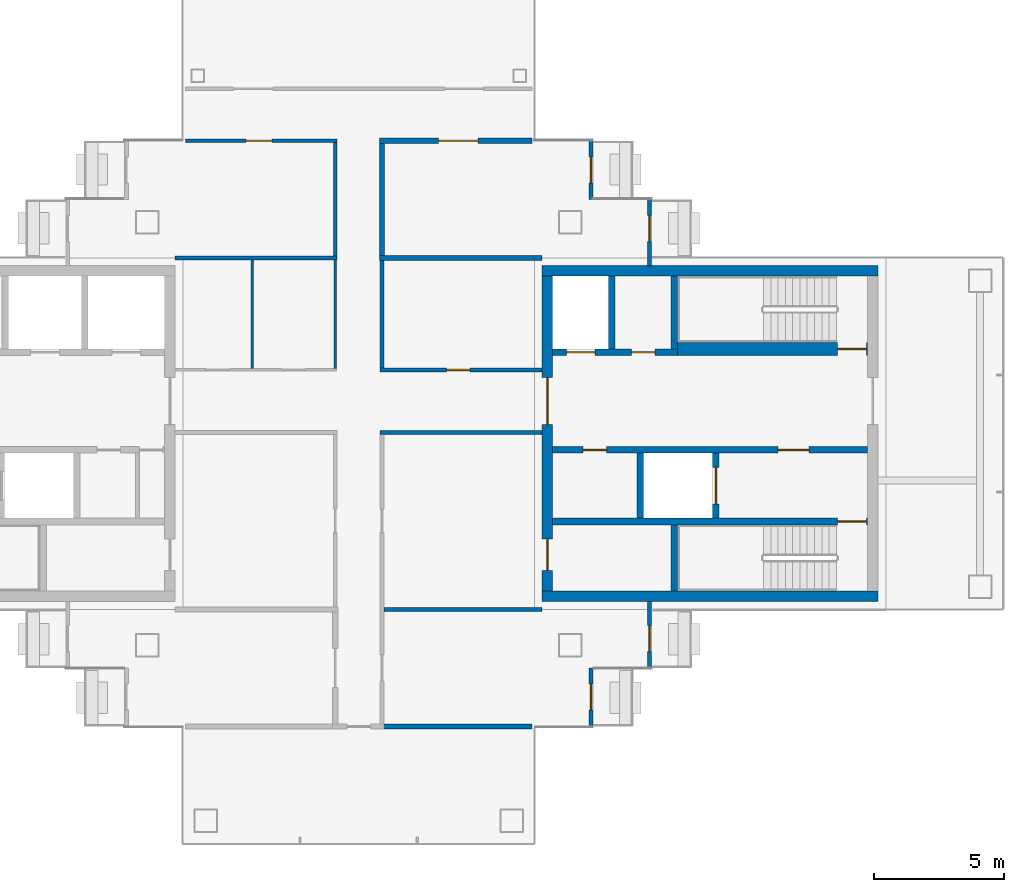
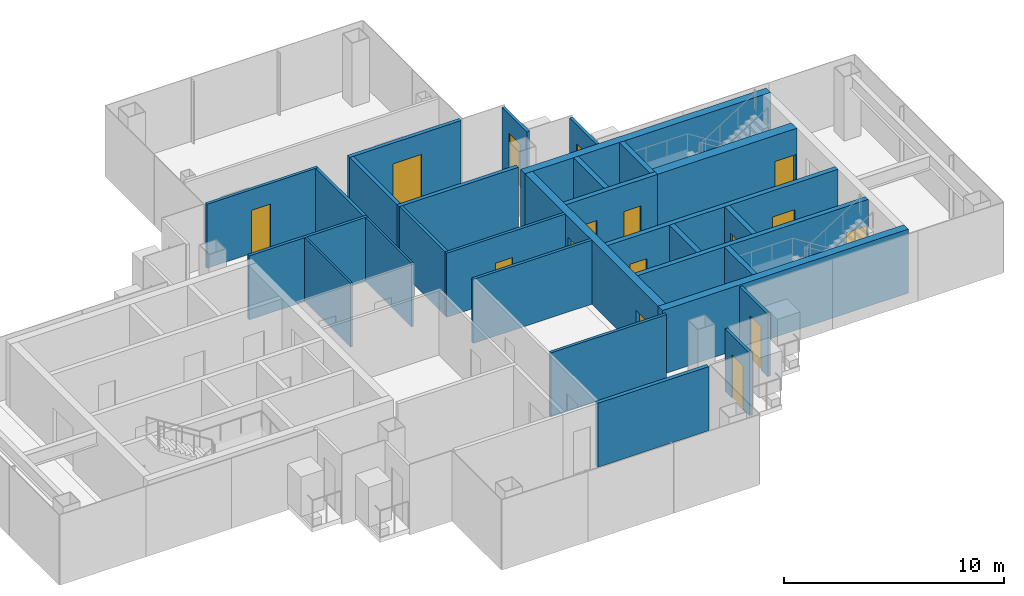
# One storey, part 12 of 17: 29 walls, 16 doors, 16 openings.
"""IFC4 building model written with IfcOpenShell, lengths in metres."""

import ifcopenshell
import ifcopenshell.guid

model = None  # the IFC model being written
_history = None  # IfcOwnerHistory: only IFC2X3 demands one
_inside = {}  # id of a spatial element -> (the spatial element, [elements in it])
_under = {}  # id of a project, library or spatial element -> (it, [spatial elements below it])
_declared = {}  # id of a project -> (the project, [libraries it declares])
_typed = {}  # id of a type object -> (the type object, [elements of that type])
_made_of = {}  # id of a material, layer set ... -> (it, [elements and type objects made of it])


def new_model(schema):
    """Start an empty IFC model of exactly this schema.

    Asked for "IFC4X3", IfcOpenShell would pick the latest addendum, in which some entities
    have other attributes; the version numbers below select the first issue.
    IFC2X3 requires an IfcOwnerHistory on every rooted entity: one is made here for all.
    """
    global model, _history
    if schema == "IFC4X3":
        model = ifcopenshell.file(schema_version=(4, 3, 0, 0))
    else:
        model = ifcopenshell.file(schema=schema)
    _inside.clear()
    _under.clear()
    _declared.clear()
    _typed.clear()
    _made_of.clear()
    _history = None
    if model.schema == "IFC2X3":
        org = make("IfcOrganization", Name="unknown")
        user = make(
            "IfcPersonAndOrganization",
            ThePerson=make("IfcPerson", FamilyName="unknown"),
            TheOrganization=org,
        )
        app = make(
            "IfcApplication",
            ApplicationDeveloper=org,
            Version="unknown",
            ApplicationFullName="unknown",
            ApplicationIdentifier="unknown",
        )
        _history = make(
            "IfcOwnerHistory",
            OwningUser=user,
            OwningApplication=app,
            ChangeAction="ADDED",
            CreationDate=0,
        )
    return model


def make(cls, **values):
    """One entity of the class cls with the attributes given. An attribute that is None is left unset."""
    return model.create_entity(
        cls, **{name: value for name, value in values.items() if value is not None}
    )


def rooted(cls, **values):
    """An entity with a GlobalId (a new one), such as an element, a storey or a relation."""
    return make(cls, GlobalId=ifcopenshell.guid.new(), OwnerHistory=_history, **values)


def si_unit(unit_type, name, prefix=None):
    """IfcSIUnit, for example si_unit("LENGTHUNIT", "METRE", prefix="MILLI")."""
    return make("IfcSIUnit", UnitType=unit_type, Prefix=prefix, Name=name)


def assignment(units):
    """IfcUnitAssignment: the units of a project."""
    return None if units is None else make("IfcUnitAssignment", Units=units)


def point(xyz):
    """IfcCartesianPoint."""
    return None if xyz is None else make("IfcCartesianPoint", Coordinates=xyz)


def direction(xyz):
    """IfcDirection."""
    return None if xyz is None else make("IfcDirection", DirectionRatios=xyz)


def frame(location, z_axis=None, x_axis=None):
    """IfcAxis2Placement3D, a coordinate frame: its origin and axes. An axis left out is left unset."""
    return make(
        "IfcAxis2Placement3D",
        Location=point(location),
        Axis=direction(z_axis),
        RefDirection=direction(x_axis),
    )


def frame_2d(location, x_axis=None):
    """IfcAxis2Placement2D, a coordinate frame in the plane: its origin and x axis."""
    return make(
        "IfcAxis2Placement2D", Location=point(location), RefDirection=direction(x_axis)
    )


def origin():
    """The frame at (0, 0, 0) with its axes left unset."""
    return frame((0.0, 0.0, 0.0))


def place(relative_to, where):
    """IfcLocalPlacement: puts the frame where relative to a parent placement (None: the world)."""
    return make(
        "IfcLocalPlacement", PlacementRelTo=relative_to, RelativePlacement=where
    )


def context(
    kind, dimensions, precision=None, world=None, true_north=None, identifier=None
):
    """IfcGeometricRepresentationContext, for example the 3D "Model" context."""
    return make(
        "IfcGeometricRepresentationContext",
        ContextIdentifier=identifier,
        ContextType=kind,
        CoordinateSpaceDimension=dimensions,
        Precision=precision,
        WorldCoordinateSystem=world,
        TrueNorth=true_north,
    )


def subcontext(parent, identifier, kind, view, scale=None):
    """IfcGeometricRepresentationSubContext, for example "Body" below "Model"."""
    return make(
        "IfcGeometricRepresentationSubContext",
        ContextIdentifier=identifier,
        ContextType=kind,
        ParentContext=parent,
        TargetScale=scale,
        TargetView=view,
    )


def project(units=None, contexts=None):
    """IfcProject with its units and contexts."""
    return rooted(
        "IfcProject",
        Name="project",
        RepresentationContexts=contexts,
        UnitsInContext=assignment(units),
    )


def spatial(cls, under=None, at=None, **own):
    """A site, building, storey or space (cls), placed at a placement, below another one or the project."""
    s = rooted(cls, ObjectPlacement=at, **own)
    if under is not None:
        _under.setdefault(under.id(), (under, []))[1].append(s)
    return s


def profile(cls, at=None, kind="AREA", **sizes):
    """A parametric profile (cls). Its sizes go by their IFC names, for example OverallWidth=200.0."""
    return make(cls, ProfileType=kind, Position=at, **sizes)


def rectangle(**sizes):
    """IfcRectangleProfileDef."""
    return profile("IfcRectangleProfileDef", **sizes)


def extrude(swept, where, along, depth):
    """IfcExtrudedAreaSolid: the profile swept, set in the frame where, extruded along a direction by depth."""
    return make(
        "IfcExtrudedAreaSolid",
        SweptArea=swept,
        Position=where,
        ExtrudedDirection=direction(along),
        Depth=depth,
    )


def shape(context_of_items, identifier, shape_type, items):
    """IfcShapeRepresentation: the items that make up one representation, for example the "Body"."""
    return make(
        "IfcShapeRepresentation",
        ContextOfItems=context_of_items,
        RepresentationIdentifier=identifier,
        RepresentationType=shape_type,
        Items=items,
    )


def material(Name=None, Category=None):
    """IfcMaterial."""
    return make("IfcMaterial", Name=Name, Category=Category)


def layer(
    of_material, thickness, ventilated=None, Name=None, Category=None, Priority=None
):
    """IfcMaterialLayer: one layer of a wall or slab, of a material (None: an air gap)."""
    return make(
        "IfcMaterialLayer",
        Material=of_material,
        LayerThickness=thickness,
        IsVentilated=ventilated,
        Name=Name,
        Category=Category,
        Priority=Priority,
    )


def layer_set(layers, Name=None):
    """IfcMaterialLayerSet."""
    return make("IfcMaterialLayerSet", MaterialLayers=layers, LayerSetName=Name)


def made_of(thing, what):
    """Note that an element or type object is made of a material, layer set ...; save() writes the relation."""
    if what is not None:
        _made_of.setdefault(what.id(), (what, []))[1].append(thing)
    return thing


def type_object(cls, material=None, **own):
    """A type object (cls), such as IfcWallType, which elements share."""
    return made_of(rooted(cls, **own), material)


def element(
    cls,
    number,
    at=None,
    inside=None,
    cuts=None,
    type_object=None,
    material=None,
    context=None,
    identifier="Body",
    shape_type=None,
    held_by="IfcProductDefinitionShape",
    body=None,
    shapes=None,
    **own,
):
    """One element of the class cls, such as IfcWall. Its Tag is "e" and its number.

    at: its placement. inside: the storey or other place that contains it. cuts: it is an
    opening in that element (IfcRelVoidsElement). A single representation is given by context,
    identifier, shape_type and body (its items); several are given by shapes. held_by: the class
    of the entity that holds the representations. save() writes the other relations.
    """
    e = rooted(cls, Tag="e%d" % number, ObjectPlacement=at, **own)
    if body is not None:
        shapes = [shape(context, identifier, shape_type, body)]
    if shapes is not None:
        e.Representation = make(held_by, Representations=shapes)
    if inside is not None:
        _inside.setdefault(inside.id(), (inside, []))[1].append(e)
    if cuts is not None:
        rooted(
            "IfcRelVoidsElement", RelatingBuildingElement=cuts, RelatedOpeningElement=e
        )
    if type_object is not None:
        _typed.setdefault(type_object.id(), (type_object, []))[1].append(e)
    return made_of(e, material)


def fill(opening, filler):
    """IfcRelFillsElement: the door or window that sits in an opening."""
    return rooted(
        "IfcRelFillsElement",
        RelatingOpeningElement=opening,
        RelatedBuildingElement=filler,
    )


def aggregate(whole, parts):
    """IfcRelAggregates: a whole, such as a stair, and the parts it consists of."""
    return rooted("IfcRelAggregates", RelatingObject=whole, RelatedObjects=parts)


def save(model, path):
    """Write the relations noted so far, then the file.

    IfcRelAggregates (storeys below a building ...), IfcRelContainedInSpatialStructure (elements
    in a storey), IfcRelDefinesByType, IfcRelAssociatesMaterial and IfcRelDeclares: one each for
    every whole, place, type object, material and project.
    """
    for whole, parts in _under.values():
        aggregate(whole, parts)
    for where, things in _inside.values():
        rooted(
            "IfcRelContainedInSpatialStructure",
            RelatedElements=things,
            RelatingStructure=where,
        )
    for kind, things in _typed.values():
        rooted("IfcRelDefinesByType", RelatedObjects=things, RelatingType=kind)
    for what, things in _made_of.values():
        rooted("IfcRelAssociatesMaterial", RelatedObjects=things, RelatingMaterial=what)
    for by, libraries in _declared.values():
        rooted("IfcRelDeclares", RelatingContext=by, RelatedDefinitions=libraries)
    model.write(path)


model = new_model("IFC4")

# Units and contexts
model_context = context("Model", 3, precision=1e-05, world=origin(), true_north=direction((0.0, 1.0)))
body_context = subcontext(model_context, "Body", "Model", "MODEL_VIEW")
ifc_project = project(units=[si_unit("LENGTHUNIT", "METRE"), si_unit("AREAUNIT", "SQUARE_METRE"), si_unit("VOLUMEUNIT", "CUBIC_METRE"), si_unit("PLANEANGLEUNIT", "RADIAN"), si_unit("MASSUNIT", "GRAM", prefix="KILO")], contexts=[model_context])

# Site, building, storey
site_placement = place(None, origin())
site = spatial("IfcSite", under=ifc_project, at=site_placement, CompositionType="ELEMENT")
building_placement = place(site_placement, origin())
building = spatial("IfcBuilding", under=site, at=building_placement, Name="Shamsa Quay Exchange Towers", CompositionType="ELEMENT")
storey_placement = place(building_placement, frame((0.0, 0.0, 238.199951171875)))
storey = spatial("IfcBuildingStorey", under=building, at=storey_placement, Name="L57", CompositionType="ELEMENT", Elevation=238.199951171875)

# Wall
ifc_material_1 = material(Name="Double-leaf gypsum board partition with acoustic insulation")
ifc_layer_1 = layer(ifc_material_1, 0.199951171875)
ifc_layer_set_1 = layer_set([ifc_layer_1], Name="Acoustic partition 200 mm EI 60")
wall_type_1 = type_object("IfcWallType", Name="Acoustic partition 200 mm EI 60", PredefinedType="PARTITIONING", material=ifc_layer_set_1)
wall_1_placement = place(storey_placement, frame((34.650390625, 11.14990234375, 0.0), z_axis=(0.0, 0.0, 1.0), x_axis=(0.0, -1.0, 0.0)))
element("IfcWall", 1, at=wall_1_placement, inside=storey, type_object=wall_type_1, Name="Partition T2-R25-W11", PredefinedType="PARTITIONING", context=body_context, shape_type="SweptSolid", body=[
    extrude(rectangle(XDim=4.2998046875, YDim=0.199951171875, at=frame_2d((2.14990234375, 0.0))), origin(), (0.0, 0.0, 1.0), 3.550048828125),
])

# Wall, opening, door
wall_2_placement = place(storey_placement, frame((40.405029296875, 11.25, 0.0), z_axis=(0.0, 0.0, 1.0), x_axis=(-1.0, 0.0, 0.0)))
wall_2 = element("IfcWall", 2, at=wall_2_placement, inside=storey, type_object=wall_type_1, Name="Partition T2-R25-W12", PredefinedType="PARTITIONING", context=body_context, shape_type="SweptSolid", body=[
    extrude(rectangle(XDim=5.854736328125, YDim=0.199951171875, at=frame_2d((2.92724609375, 0.0))), origin(), (0.0, 0.0, 1.0), 3.550048828125),
])
opening_1_placement = place(wall_2_placement, frame((2.079833984375, 0.0, 0.0)))
opening_1 = element("IfcOpeningElement", 3, at=opening_1_placement, cuts=wall_2, Name="Opening T2-R25-D04", PredefinedType="OPENING", context=body_context, shape_type="SweptSolid", body=[
    extrude(rectangle(XDim=1.5, YDim=2.39990234375, at=frame_2d((0.75, 1.199951171875))), frame((0.0, 0.10986328125, 0.0), z_axis=(0.0, -1.0, 0.0), x_axis=(1.0, 0.0, 0.0)), (0.0, 0.0, 1.0), 0.219970703125),
])
ifc_material_2 = material(Name="Timber door leaf in a metal frame", Category="wood")
door_type_1 = type_object("IfcDoorType", Name="Door 1500x2400 FD30S pair", OperationType="NOTDEFINED", PredefinedType="DOOR", material=ifc_material_2)
door_1_placement = place(opening_1_placement, origin())
door_1 = element("IfcDoor", 4, at=door_1_placement, inside=storey, type_object=door_type_1, Name="Door T2-R25-D04", OperationType="DOUBLE_DOOR_SINGLE_SWING", OverallHeight=2.39990234375, OverallWidth=1.5, PredefinedType="DOOR", context=body_context, shape_type="SweptSolid", body=[
    extrude(rectangle(XDim=1.5, YDim=2.39990234375, at=frame_2d((0.75, 1.199951171875))), frame((0.0, 0.02490234375, 0.0), z_axis=(0.0, -1.0, 0.0), x_axis=(1.0, 0.0, 0.0)), (0.0, 0.0, 1.0), 0.050048828125),
])
fill(opening_1, door_1)

# Walls
wall_3_placement = place(storey_placement, frame((40.800048828125, 6.75, 0.0), z_axis=(0.0, 0.0, 1.0), x_axis=(-1.0, 0.0, 0.0)))
element("IfcWall", 5, at=wall_3_placement, inside=storey, type_object=wall_type_1, Name="Partition T2-R25-W19", PredefinedType="PARTITIONING", context=body_context, shape_type="SweptSolid", body=[
    extrude(rectangle(XDim=6.249755859375, YDim=0.199951171875, at=frame_2d((3.125, 0.0))), origin(), (0.0, 0.0, 1.0), 3.550048828125),
])
wall_4_placement = place(storey_placement, frame((34.575439453125, -11.25, 0.0)))
element("IfcWall", 6, at=wall_4_placement, inside=storey, type_object=wall_type_1, Name="Partition T2-R25-W21", PredefinedType="PARTITIONING", context=body_context, shape_type="SweptSolid", body=[
    extrude(rectangle(XDim=5.82958984375, YDim=0.199951171875, at=frame_2d((2.914794921875, 0.0))), origin(), (0.0, 0.0, 1.0), 3.550048828125),
])

# Wall, opening, door
ifc_material_3 = material(Name="Aluminium EN AW-6063 T6, black anodised, with black enamelled glass infill", Category="aluminium")
ifc_layer_2 = layer(ifc_material_3, 0.14990234375)
ifc_layer_set_2 = layer_set([ifc_layer_2], Name="BALCONY DOOR BAY WALL 150")
wall_type_2 = type_object("IfcWallType", Name="BALCONY DOOR BAY WALL 150", PredefinedType="SOLIDWALL", material=ifc_layer_set_2)
wall_5_placement = place(storey_placement, frame((42.675048828125, 11.25, 0.0), z_axis=(0.0, 0.0, 1.0), x_axis=(0.0, -1.0, 0.0)))
wall_5 = element("IfcWall", 7, at=wall_5_placement, inside=storey, type_object=wall_type_2, Name="Door bay T2-PKES L57", PredefinedType="SOLIDWALL", context=body_context, shape_type="SweptSolid", body=[
    extrude(rectangle(XDim=2.25, YDim=0.14990234375, at=frame_2d((1.125, 0.0))), origin(), (0.0, 0.0, 1.0), 3.449951171875),
])
opening_2_placement = place(wall_5_placement, frame((0.625, 0.0, 0.0)))
opening_2 = element("IfcOpeningElement", 8, at=opening_2_placement, cuts=wall_5, Name="Opening XD379", PredefinedType="OPENING", context=body_context, shape_type="SweptSolid", body=[
    extrude(rectangle(XDim=1.0, YDim=2.39990234375, at=frame_2d((0.5, 1.199951171875))), frame((0.0, 0.0849609375, 0.0), z_axis=(0.0, -1.0, 0.0), x_axis=(1.0, 0.0, 0.0)), (0.0, 0.0, 1.0), 0.169921875),
])
ifc_material_4 = material(Name="Aluminium EN AW-6063 T6, black anodised, with laminated glass leaf", Category="aluminium")
door_type_2 = type_object("IfcDoorType", Name="BALCONY DOOR 1000x2400", OperationType="SINGLE_SWING_LEFT", PredefinedType="DOOR", material=ifc_material_4)
door_2_placement = place(opening_2_placement, origin())
door_2 = element("IfcDoor", 9, at=door_2_placement, inside=storey, type_object=door_type_2, Name="Balcony door T2-PKES L57", OperationType="SINGLE_SWING_RIGHT", OverallHeight=2.39990234375, OverallWidth=1.0, PredefinedType="DOOR", context=body_context, shape_type="SweptSolid", body=[
    extrude(rectangle(XDim=1.0, YDim=2.39990234375, at=frame_2d((0.5, 1.199951171875))), frame((0.0, 0.02490234375, 0.0), z_axis=(0.0, -1.0, 0.0), x_axis=(1.0, 0.0, 0.0)), (0.0, 0.0, 1.0), 0.050048828125),
])
fill(opening_2, door_2)

wall_6_placement = place(storey_placement, frame((44.925048828125, 9.0, 0.0), z_axis=(0.0, 0.0, 1.0), x_axis=(0.0, -1.0, 0.0)))
wall_6 = element("IfcWall", 10, at=wall_6_placement, inside=storey, type_object=wall_type_2, Name="Door bay T2-PKES L57", PredefinedType="SOLIDWALL", context=body_context, shape_type="SweptSolid", body=[
    extrude(rectangle(XDim=2.556884765625, YDim=0.14990234375, at=frame_2d((1.2783203125, 0.0))), origin(), (0.0, 0.0, 1.0), 3.449951171875),
])
opening_3_placement = place(wall_6_placement, frame((0.625, 0.0, 0.0)))
opening_3 = element("IfcOpeningElement", 11, at=opening_3_placement, cuts=wall_6, Name="Opening XD380", PredefinedType="OPENING", context=body_context, shape_type="SweptSolid", body=[
    extrude(rectangle(XDim=1.0, YDim=2.39990234375, at=frame_2d((0.5, 1.199951171875))), frame((0.0, 0.0849609375, 0.0), z_axis=(0.0, -1.0, 0.0), x_axis=(1.0, 0.0, 0.0)), (0.0, 0.0, 1.0), 0.169921875),
])
door_3_placement = place(opening_3_placement, origin())
door_3 = element("IfcDoor", 12, at=door_3_placement, inside=storey, type_object=door_type_2, Name="Balcony door T2-PKES L57", OperationType="SINGLE_SWING_LEFT", OverallHeight=2.39990234375, OverallWidth=1.0, PredefinedType="DOOR", context=body_context, shape_type="SweptSolid", body=[
    extrude(rectangle(XDim=1.0, YDim=2.39990234375, at=frame_2d((0.5, 1.199951171875))), frame((0.0, 0.02490234375, 0.0), z_axis=(0.0, -1.0, 0.0), x_axis=(1.0, 0.0, 0.0)), (0.0, 0.0, 1.0), 0.050048828125),
])
fill(opening_3, door_3)

wall_7_placement = place(storey_placement, frame((42.675048828125, -9.0, 0.0), z_axis=(0.0, 0.0, 1.0), x_axis=(0.0, -1.0, 0.0)))
wall_7 = element("IfcWall", 13, at=wall_7_placement, inside=storey, type_object=wall_type_2, Name="Door bay T2-PKWS L57", PredefinedType="SOLIDWALL", context=body_context, shape_type="SweptSolid", body=[
    extrude(rectangle(XDim=2.25, YDim=0.14990234375, at=frame_2d((1.125, 0.0))), origin(), (0.0, 0.0, 1.0), 3.449951171875),
])
opening_4_placement = place(wall_7_placement, frame((0.625, 0.0, 0.0)))
opening_4 = element("IfcOpeningElement", 14, at=opening_4_placement, cuts=wall_7, Name="Opening XD383", PredefinedType="OPENING", context=body_context, shape_type="SweptSolid", body=[
    extrude(rectangle(XDim=1.0, YDim=2.39990234375, at=frame_2d((0.5, 1.199951171875))), frame((0.0, 0.0849609375, 0.0), z_axis=(0.0, -1.0, 0.0), x_axis=(1.0, 0.0, 0.0)), (0.0, 0.0, 1.0), 0.169921875),
])
door_4_placement = place(opening_4_placement, origin())
door_4 = element("IfcDoor", 15, at=door_4_placement, inside=storey, type_object=door_type_2, Name="Balcony door T2-PKWS L57", OperationType="SINGLE_SWING_LEFT", OverallHeight=2.39990234375, OverallWidth=1.0, PredefinedType="DOOR", context=body_context, shape_type="SweptSolid", body=[
    extrude(rectangle(XDim=1.0, YDim=2.39990234375, at=frame_2d((0.5, 1.199951171875))), frame((0.0, 0.02490234375, 0.0), z_axis=(0.0, -1.0, 0.0), x_axis=(1.0, 0.0, 0.0)), (0.0, 0.0, 1.0), 0.050048828125),
])
fill(opening_4, door_4)

wall_8_placement = place(storey_placement, frame((44.925048828125, -6.447998046875, 0.0), z_axis=(0.0, 0.0, 1.0), x_axis=(0.0, -1.0, 0.0)))
wall_8 = element("IfcWall", 16, at=wall_8_placement, inside=storey, type_object=wall_type_2, Name="Door bay T2-PKWS L57", PredefinedType="SOLIDWALL", context=body_context, shape_type="SweptSolid", body=[
    extrude(rectangle(XDim=2.552001953125, YDim=0.14990234375, at=frame_2d((1.27587890625, 0.0))), origin(), (0.0, 0.0, 1.0), 3.449951171875),
])
opening_5_placement = place(wall_8_placement, frame((0.927001953125, 0.0, 0.0)))
opening_5 = element("IfcOpeningElement", 17, at=opening_5_placement, cuts=wall_8, Name="Opening XD384", PredefinedType="OPENING", context=body_context, shape_type="SweptSolid", body=[
    extrude(rectangle(XDim=1.0, YDim=2.39990234375, at=frame_2d((0.5, 1.199951171875))), frame((0.0, 0.0849609375, 0.0), z_axis=(0.0, -1.0, 0.0), x_axis=(1.0, 0.0, 0.0)), (0.0, 0.0, 1.0), 0.169921875),
])
door_5_placement = place(opening_5_placement, origin())
door_5 = element("IfcDoor", 18, at=door_5_placement, inside=storey, type_object=door_type_2, Name="Balcony door T2-PKWS L57", OperationType="SINGLE_SWING_RIGHT", OverallHeight=2.39990234375, OverallWidth=1.0, PredefinedType="DOOR", context=body_context, shape_type="SweptSolid", body=[
    extrude(rectangle(XDim=1.0, YDim=2.39990234375, at=frame_2d((0.5, 1.199951171875))), frame((0.0, 0.02490234375, 0.0), z_axis=(0.0, -1.0, 0.0), x_axis=(1.0, 0.0, 0.0)), (0.0, 0.0, 1.0), 0.050048828125),
])
fill(opening_5, door_5)

# Walls
ifc_material_5 = material(Name="Concrete C60/75", Category="concrete")
ifc_layer_3 = layer(ifc_material_5, 0.39990234375)
ifc_layer_set_3 = layer_set([ifc_layer_3], Name="CORE WALL 400 C60/75")
wall_type_3 = type_object("IfcWallType", Name="CORE WALL 400 C60/75", PredefinedType="SHEAR", material=ifc_layer_set_3)
for number, where, z_axis, x_axis, name in (
    (19, (53.699951171875, -6.25, 0.0), (0.0, 0.0, 1.0), (-1.0, 0.0, 0.0), "Core wall T2B-R25-PS"),
    (20, (53.699951171875, 6.25, 0.0), (0.0, 0.0, 1.0), (-1.0, 0.0, 0.0), "Core wall T2B-R25-PN"),
):
    element("IfcWall", number, at=place(storey_placement, frame(where, z_axis=z_axis, x_axis=x_axis)), inside=storey, type_object=wall_type_3, Name=name, PredefinedType="SHEAR", context=body_context, shape_type="SweptSolid", body=[
        extrude(rectangle(XDim=12.89990234375, YDim=0.39990234375, at=frame_2d((6.449951171875, 0.0))), origin(), (0.0, 0.0, 1.0), 3.550048828125),
    ])

# Wall, openings, doors
wall_9_placement = place(storey_placement, frame((41.0, -6.050048828125, 0.0), z_axis=(0.0, 0.0, 1.0), x_axis=(0.0, 1.0, 0.0)))
wall_9 = element("IfcWall", 21, at=wall_9_placement, inside=storey, type_object=wall_type_3, Name="Core wall T2B-R25-PB", PredefinedType="SHEAR", context=body_context, shape_type="SweptSolid", body=[
    extrude(rectangle(XDim=12.10009765625, YDim=0.39990234375, at=frame_2d((6.050048828125, 0.0))), origin(), (0.0, 0.0, 1.0), 3.550048828125),
])
opening_6_placement = place(wall_9_placement, frame((0.800048828125, 0.0, 0.0)))
opening_6 = element("IfcOpeningElement", 22, at=opening_6_placement, cuts=wall_9, Name="Opening T2B-R25-RD02", PredefinedType="OPENING", context=body_context, shape_type="SweptSolid", body=[
    extrude(rectangle(XDim=1.199951171875, YDim=2.10009765625, at=frame_2d((0.60009765625, 1.050048828125))), frame((0.0, 0.2099609375, 0.0), z_axis=(0.0, -1.0, 0.0), x_axis=(1.0, 0.0, 0.0)), (0.0, 0.0, 1.0), 0.419921875),
])
opening_7_placement = place(wall_9_placement, frame((6.39990234375, 0.0, 0.0)))
opening_7 = element("IfcOpeningElement", 23, at=opening_7_placement, cuts=wall_9, Name="Opening T2B-R25-LBD03", PredefinedType="OPENING", context=body_context, shape_type="SweptSolid", body=[
    extrude(rectangle(XDim=1.800048828125, YDim=2.39990234375, at=frame_2d((0.89990234375, 1.199951171875))), frame((0.0, 0.2099609375, 0.0), z_axis=(0.0, -1.0, 0.0), x_axis=(1.0, 0.0, 0.0)), (0.0, 0.0, 1.0), 0.419921875),
])
ifc_material_6 = material(Name="Steel, fire rated", Category="steel")
door_type_3 = type_object("IfcDoorType", Name="LIFT LOBBY DOOR PAIR 1800", OperationType="DOUBLE_DOOR_SINGLE_SWING", PredefinedType="DOOR", material=ifc_material_6)
door_6_placement = place(opening_7_placement, origin())
door_6 = element("IfcDoor", 24, at=door_6_placement, inside=storey, type_object=door_type_3, Name="T2B-R25-LBD03", OperationType="DOUBLE_DOOR_SINGLE_SWING", OverallHeight=2.39990234375, OverallWidth=1.800048828125, PredefinedType="DOOR", context=body_context, shape_type="SweptSolid", body=[
    extrude(rectangle(XDim=1.800048828125, YDim=2.39990234375, at=frame_2d((0.89990234375, 1.199951171875))), frame((0.0, 0.02490234375, 0.0), z_axis=(0.0, -1.0, 0.0), x_axis=(1.0, 0.0, 0.0)), (0.0, 0.0, 1.0), 0.050048828125),
])
fill(opening_7, door_6)
door_type_4 = type_object("IfcDoorType", Name="RISER ACCESS DOOR 1200", OperationType="SINGLE_SWING_LEFT", PredefinedType="DOOR", material=ifc_material_6)
door_7_placement = place(opening_6_placement, origin())
door_7 = element("IfcDoor", 25, at=door_7_placement, inside=storey, type_object=door_type_4, Name="T2B-R25-RD02", OperationType="SINGLE_SWING_LEFT", OverallHeight=2.10009765625, OverallWidth=1.199951171875, PredefinedType="DOOR", context=body_context, shape_type="SweptSolid", body=[
    extrude(rectangle(XDim=1.199951171875, YDim=2.10009765625, at=frame_2d((0.60009765625, 1.050048828125))), frame((0.0, 0.02490234375, 0.0), z_axis=(0.0, -1.0, 0.0), x_axis=(1.0, 0.0, 0.0)), (0.0, 0.0, 1.0), 0.050048828125),
])
fill(opening_6, door_7)

# Walls
ifc_material_7 = material(Name="Gypsum board partition on metal studs")
ifc_layer_4 = layer(ifc_material_7, 0.10009765625)
ifc_layer_set_4 = layer_set([ifc_layer_4], Name="Partition 100 mm NOT RATED")
wall_type_4 = type_object("IfcWallType", Name="Partition 100 mm NOT RATED", PredefinedType="PARTITIONING", material=ifc_layer_set_4)
for number, where, z_axis, x_axis, name in (
    (26, (32.849609375, 2.500244140625, 0.0), (0.0, 0.0, 1.0), (0.0, 1.0, 0.0), "Partition T2-R25-W01"),
    (27, (29.662109375, 6.675048828125, 0.0), (0.0, 0.0, 1.0), (0.0, -1.0, 0.0), "Partition T2-R25-W16"),
):
    element("IfcWall", number, at=place(storey_placement, frame(where, z_axis=z_axis, x_axis=x_axis)), inside=storey, type_object=wall_type_4, Name=name, PredefinedType="PARTITIONING", context=body_context, shape_type="SweptSolid", body=[
        extrude(rectangle(XDim=4.1748046875, YDim=0.10009765625, at=frame_2d((2.08740234375, 0.0))), origin(), (0.0, 0.0, 1.0), 3.550048828125),
    ])
ifc_layer_5 = layer(ifc_material_7, 0.14990234375)
ifc_layer_set_5 = layer_set([ifc_layer_5], Name="Partition 150 mm EI 60")
wall_type_5 = type_object("IfcWallType", Name="Partition 150 mm EI 60", PredefinedType="PARTITIONING", material=ifc_layer_set_5)
wall_10_placement = place(storey_placement, frame((40.800048828125, 0.0498046875, 0.0), z_axis=(0.0, 0.0, 1.0), x_axis=(-1.0, 0.0, 0.0)))
element("IfcWall", 28, at=wall_10_placement, inside=storey, type_object=wall_type_5, Name="Partition T2-R25-W04", PredefinedType="PARTITIONING", context=body_context, shape_type="SweptSolid", body=[
    extrude(rectangle(XDim=6.224609375, YDim=0.14990234375, at=frame_2d((3.1123046875, 0.0))), origin(), (0.0, 0.0, 1.0), 3.550048828125),
])
wall_11_placement = place(storey_placement, frame((32.849609375, 6.824951171875, 0.0), z_axis=(0.0, 0.0, 1.0), x_axis=(0.0, 1.0, 0.0)))
element("IfcWall", 29, at=wall_11_placement, inside=storey, type_object=wall_type_5, Name="Partition T2-R25-W05", PredefinedType="PARTITIONING", context=body_context, shape_type="SweptSolid", body=[
    extrude(rectangle(XDim=4.35009765625, YDim=0.14990234375, at=frame_2d((2.175048828125, 0.0))), origin(), (0.0, 0.0, 1.0), 3.550048828125),
])

# Wall, opening, door
wall_12_placement = place(storey_placement, frame((34.575439453125, 2.4501953125, 0.0)))
wall_12 = element("IfcWall", 30, at=wall_12_placement, inside=storey, type_object=wall_type_5, Name="Partition T2-R25-W07", PredefinedType="PARTITIONING", context=body_context, shape_type="SweptSolid", body=[
    extrude(rectangle(XDim=6.224609375, YDim=0.14990234375, at=frame_2d((3.1123046875, 0.0))), origin(), (0.0, 0.0, 1.0), 3.550048828125),
])
opening_8_placement = place(wall_12_placement, frame((2.5498046875, 0.0, 0.0)))
opening_8 = element("IfcOpeningElement", 31, at=opening_8_placement, cuts=wall_12, Name="Opening T2-R25-D01", PredefinedType="OPENING", context=body_context, shape_type="SweptSolid", body=[
    extrude(rectangle(XDim=0.89990234375, YDim=2.10009765625, at=frame_2d((0.449951171875, 1.050048828125))), frame((0.0, 0.0849609375, 0.0), z_axis=(0.0, -1.0, 0.0), x_axis=(1.0, 0.0, 0.0)), (0.0, 0.0, 1.0), 0.169921875),
])
door_type_5 = type_object("IfcDoorType", Name="Door 900x2100 FD30S", OperationType="NOTDEFINED", PredefinedType="DOOR", material=ifc_material_2)
door_8_placement = place(opening_8_placement, origin())
door_8 = element("IfcDoor", 32, at=door_8_placement, inside=storey, type_object=door_type_5, Name="Door T2-R25-D01", OperationType="SINGLE_SWING_RIGHT", OverallHeight=2.10009765625, OverallWidth=0.89990234375, PredefinedType="DOOR", context=body_context, shape_type="SweptSolid", body=[
    extrude(rectangle(XDim=0.89990234375, YDim=2.10009765625, at=frame_2d((0.449951171875, 1.050048828125))), frame((0.0, 0.02490234375, 0.0), z_axis=(0.0, -1.0, 0.0), x_axis=(1.0, 0.0, 0.0)), (0.0, 0.0, 1.0), 0.050048828125),
])
fill(opening_8, door_8)

# Wall
wall_13_placement = place(storey_placement, frame((34.650390625, 6.64990234375, 0.0), z_axis=(0.0, 0.0, 1.0), x_axis=(0.0, -1.0, 0.0)))
element("IfcWall", 33, at=wall_13_placement, inside=storey, type_object=wall_type_5, Name="Partition T2-R25-W09", PredefinedType="PARTITIONING", context=body_context, shape_type="SweptSolid", body=[
    extrude(rectangle(XDim=4.124755859375, YDim=0.14990234375, at=frame_2d((2.0625, 0.0))), origin(), (0.0, 0.0, 1.0), 3.550048828125),
])

# Wall, opening, door
wall_14_placement = place(storey_placement, frame((32.924560546875, 11.25, 0.0), z_axis=(0.0, 0.0, 1.0), x_axis=(-1.0, 0.0, 0.0)))
wall_14 = element("IfcWall", 34, at=wall_14_placement, inside=storey, type_object=wall_type_5, Name="Partition T2-R25-W10", PredefinedType="PARTITIONING", context=body_context, shape_type="SweptSolid", body=[
    extrude(rectangle(XDim=5.82958984375, YDim=0.14990234375, at=frame_2d((2.914794921875, 0.0))), origin(), (0.0, 0.0, 1.0), 3.550048828125),
])
opening_9_placement = place(wall_14_placement, frame((2.499755859375, 0.0, 0.0)))
opening_9 = element("IfcOpeningElement", 35, at=opening_9_placement, cuts=wall_14, Name="Opening T2-R25-D10", PredefinedType="OPENING", context=body_context, shape_type="SweptSolid", body=[
    extrude(rectangle(XDim=1.0, YDim=2.39990234375, at=frame_2d((0.5, 1.199951171875))), frame((0.0, 0.0849609375, 0.0), z_axis=(0.0, -1.0, 0.0), x_axis=(1.0, 0.0, 0.0)), (0.0, 0.0, 1.0), 0.169921875),
])
door_type_6 = type_object("IfcDoorType", Name="Door 1000x2400 FD30S", OperationType="NOTDEFINED", PredefinedType="DOOR", material=ifc_material_2)
door_9_placement = place(opening_9_placement, origin())
door_9 = element("IfcDoor", 36, at=door_9_placement, inside=storey, type_object=door_type_6, Name="Door T2-R25-D10", OperationType="SINGLE_SWING_LEFT", OverallHeight=2.39990234375, OverallWidth=1.0, PredefinedType="DOOR", context=body_context, shape_type="SweptSolid", body=[
    extrude(rectangle(XDim=1.0, YDim=2.39990234375, at=frame_2d((0.5, 1.199951171875))), frame((0.0, 0.02490234375, 0.0), z_axis=(0.0, -1.0, 0.0), x_axis=(1.0, 0.0, 0.0)), (0.0, 0.0, 1.0), 0.050048828125),
])
fill(opening_9, door_9)

# Walls
wall_15_placement = place(storey_placement, frame((32.924560546875, 6.75, 0.0), z_axis=(0.0, 0.0, 1.0), x_axis=(-1.0, 0.0, 0.0)))
element("IfcWall", 37, at=wall_15_placement, inside=storey, type_object=wall_type_5, Name="Partition T2-R25-W17", PredefinedType="PARTITIONING", context=body_context, shape_type="SweptSolid", body=[
    extrude(rectangle(XDim=6.224609375, YDim=0.14990234375, at=frame_2d((3.1123046875, 0.0))), origin(), (0.0, 0.0, 1.0), 3.550048828125),
])
wall_16_placement = place(storey_placement, frame((34.725341796875, -6.75, 0.0)))
element("IfcWall", 38, at=wall_16_placement, inside=storey, type_object=wall_type_5, Name="Partition T2-R25-W20", PredefinedType="PARTITIONING", context=body_context, shape_type="SweptSolid", body=[
    extrude(rectangle(XDim=6.07470703125, YDim=0.14990234375, at=frame_2d((3.037353515625, 0.0))), origin(), (0.0, 0.0, 1.0), 3.550048828125),
])

# Wall, opening, door
ifc_material_8 = material(Name="Concrete C50/60", Category="concrete")
ifc_layer_6 = layer(ifc_material_8, 0.25)
ifc_layer_set_6 = layer_set([ifc_layer_6], Name="SHAFT WALL 250 C50/60")
wall_type_6 = type_object("IfcWallType", Name="SHAFT WALL 250 C50/60", PredefinedType="SHEAR", material=ifc_layer_set_6)
wall_17_placement = place(storey_placement, frame((53.300048828125, -3.375, 0.0), z_axis=(0.0, 0.0, 1.0), x_axis=(-1.0, 0.0, 0.0)))
wall_17 = element("IfcWall", 39, at=wall_17_placement, inside=storey, type_object=wall_type_6, Name="Shaft wall T2B-R25-STL", PredefinedType="SHEAR", context=body_context, shape_type="SweptSolid", body=[
    extrude(rectangle(XDim=12.10009765625, YDim=0.25, at=frame_2d((6.050048828125, 0.0))), origin(), (0.0, 0.0, 1.0), 3.550048828125),
])
opening_10_placement = place(wall_17_placement, frame((0.050048828125, 0.0, 0.0)))
opening_10 = element("IfcOpeningElement", 40, at=opening_10_placement, cuts=wall_17, Name="Opening T2B-R25-SD04", PredefinedType="OPENING", context=body_context, shape_type="SweptSolid", body=[
    extrude(rectangle(XDim=1.10009765625, YDim=2.10009765625, at=frame_2d((0.550048828125, 1.050048828125))), frame((0.0, 0.135009765625, 0.0), z_axis=(0.0, -1.0, 0.0), x_axis=(1.0, 0.0, 0.0)), (0.0, 0.0, 1.0), 0.27001953125),
])
door_type_7 = type_object("IfcDoorType", Name="STAIR DOOR 1100", OperationType="SINGLE_SWING_LEFT", PredefinedType="DOOR", material=ifc_material_6)
door_10_placement = place(opening_10_placement, origin())
door_10 = element("IfcDoor", 41, at=door_10_placement, inside=storey, type_object=door_type_7, Name="T2B-R25-SD04", OperationType="SINGLE_SWING_LEFT", OverallHeight=2.10009765625, OverallWidth=1.10009765625, PredefinedType="DOOR", context=body_context, shape_type="SweptSolid", body=[
    extrude(rectangle(XDim=1.10009765625, YDim=2.10009765625, at=frame_2d((0.550048828125, 1.050048828125))), frame((0.0, 0.02490234375, 0.0), z_axis=(0.0, -1.0, 0.0), x_axis=(1.0, 0.0, 0.0)), (0.0, 0.0, 1.0), 0.050048828125),
])
fill(opening_10, door_10)

# Wall
wall_18_placement = place(storey_placement, frame((45.875, -6.050048828125, 0.0), z_axis=(0.0, 0.0, 1.0), x_axis=(0.0, 1.0, 0.0)))
element("IfcWall", 42, at=wall_18_placement, inside=storey, type_object=wall_type_6, Name="Shaft wall T2B-R25-STF", PredefinedType="SHEAR", context=body_context, shape_type="SweptSolid", body=[
    extrude(rectangle(XDim=2.550048828125, YDim=0.25, at=frame_2d((1.27490234375, 0.0))), origin(), (0.0, 0.0, 1.0), 3.550048828125),
])

# Wall, openings, doors
wall_19_placement = place(storey_placement, frame((53.300048828125, -0.625, 0.0), z_axis=(0.0, 0.0, 1.0), x_axis=(-1.0, 0.0, 0.0)))
wall_19 = element("IfcWall", 43, at=wall_19_placement, inside=storey, type_object=wall_type_6, Name="Shaft wall T2B-R25-B", PredefinedType="SHEAR", context=body_context, shape_type="SweptSolid", body=[
    extrude(rectangle(XDim=12.10009765625, YDim=0.25, at=frame_2d((6.050048828125, 0.0))), origin(), (0.0, 0.0, 1.0), 3.550048828125),
])
opening_11_placement = place(wall_19_placement, frame((2.25, 0.0, 0.0)))
opening_11 = element("IfcOpeningElement", 44, at=opening_11_placement, cuts=wall_19, Name="Opening T2B-R25-FD05", PredefinedType="OPENING", context=body_context, shape_type="SweptSolid", body=[
    extrude(rectangle(XDim=1.199951171875, YDim=2.10009765625, at=frame_2d((0.60009765625, 1.050048828125))), frame((0.0, 0.135009765625, 0.0), z_axis=(0.0, -1.0, 0.0), x_axis=(1.0, 0.0, 0.0)), (0.0, 0.0, 1.0), 0.27001953125),
])
opening_12_placement = place(wall_19_placement, frame((10.02490234375, 0.0, 0.0)))
opening_12 = element("IfcOpeningElement", 45, at=opening_12_placement, cuts=wall_19, Name="Opening T2B-R25-SV06", PredefinedType="OPENING", context=body_context, shape_type="SweptSolid", body=[
    extrude(rectangle(XDim=0.89990234375, YDim=2.10009765625, at=frame_2d((0.449951171875, 1.050048828125))), frame((0.0, 0.135009765625, 0.0), z_axis=(0.0, -1.0, 0.0), x_axis=(1.0, 0.0, 0.0)), (0.0, 0.0, 1.0), 0.27001953125),
])
door_type_8 = type_object("IfcDoorType", Name="FIRE SERVICE LOBBY DOOR 1200", OperationType="SINGLE_SWING_LEFT", PredefinedType="DOOR", material=ifc_material_6)
door_11_placement = place(opening_11_placement, origin())
door_11 = element("IfcDoor", 46, at=door_11_placement, inside=storey, type_object=door_type_8, Name="T2B-R25-FD05", OperationType="SINGLE_SWING_LEFT", OverallHeight=2.10009765625, OverallWidth=1.199951171875, PredefinedType="DOOR", context=body_context, shape_type="SweptSolid", body=[
    extrude(rectangle(XDim=1.199951171875, YDim=2.10009765625, at=frame_2d((0.60009765625, 1.050048828125))), frame((0.0, 0.02490234375, 0.0), z_axis=(0.0, -1.0, 0.0), x_axis=(1.0, 0.0, 0.0)), (0.0, 0.0, 1.0), 0.050048828125),
])
fill(opening_11, door_11)
door_type_9 = type_object("IfcDoorType", Name="SERVICE ROOM DOOR 900", OperationType="SINGLE_SWING_LEFT", PredefinedType="DOOR", material=ifc_material_6)
door_12_placement = place(opening_12_placement, origin())
door_12 = element("IfcDoor", 47, at=door_12_placement, inside=storey, type_object=door_type_9, Name="T2B-R25-SV06", OperationType="SINGLE_SWING_RIGHT", OverallHeight=2.10009765625, OverallWidth=0.89990234375, PredefinedType="DOOR", context=body_context, shape_type="SweptSolid", body=[
    extrude(rectangle(XDim=0.89990234375, YDim=2.10009765625, at=frame_2d((0.449951171875, 1.050048828125))), frame((0.0, 0.02490234375, 0.0), z_axis=(0.0, -1.0, 0.0), x_axis=(1.0, 0.0, 0.0)), (0.0, 0.0, 1.0), 0.050048828125),
])
fill(opening_12, door_12)

# Wall, opening, door
wall_20_placement = place(storey_placement, frame((47.47509765625, -3.25, 0.0), z_axis=(0.0, 0.0, 1.0), x_axis=(0.0, 1.0, 0.0)))
wall_20 = element("IfcWall", 48, at=wall_20_placement, inside=storey, type_object=wall_type_6, Name="Shaft wall T2B-R25-FFF", PredefinedType="SHEAR", context=body_context, shape_type="SweptSolid", body=[
    extrude(rectangle(XDim=2.5, YDim=0.25, at=frame_2d((1.25, 0.0))), origin(), (0.0, 0.0, 1.0), 3.550048828125),
])
opening_13_placement = place(wall_20_placement, frame((0.550048828125, 0.0, 0.0)))
opening_13 = element("IfcOpeningElement", 49, at=opening_13_placement, cuts=wall_20, Name="Opening T2B-R25-LDG07", PredefinedType="OPENING", context=body_context, shape_type="SweptSolid", body=[
    extrude(rectangle(XDim=1.39990234375, YDim=2.39990234375, at=frame_2d((0.699951171875, 1.199951171875))), frame((0.0, 0.135009765625, 0.0), z_axis=(0.0, -1.0, 0.0), x_axis=(1.0, 0.0, 0.0)), (0.0, 0.0, 1.0), 0.27001953125),
])
door_type_10 = type_object("IfcDoorType", Name="GOODS LIFT LANDING DOOR 1400", OperationType="SLIDING_TO_LEFT", PredefinedType="DOOR", material=ifc_material_6)
door_13_placement = place(opening_13_placement, origin())
door_13 = element("IfcDoor", 50, at=door_13_placement, inside=storey, type_object=door_type_10, Name="T2B-R25-LDG07", OperationType="SLIDING_TO_LEFT", OverallHeight=2.39990234375, OverallWidth=1.39990234375, PredefinedType="DOOR", context=body_context, shape_type="SweptSolid", body=[
    extrude(rectangle(XDim=1.39990234375, YDim=2.39990234375, at=frame_2d((0.699951171875, 1.199951171875))), frame((0.0, 0.02490234375, 0.0), z_axis=(0.0, -1.0, 0.0), x_axis=(1.0, 0.0, 0.0)), (0.0, 0.0, 1.0), 0.050048828125),
])
fill(opening_13, door_13)

# Wall
wall_21_placement = place(storey_placement, frame((44.574951171875, -3.25, 0.0), z_axis=(0.0, 0.0, 1.0), x_axis=(0.0, 1.0, 0.0)))
element("IfcWall", 51, at=wall_21_placement, inside=storey, type_object=wall_type_6, Name="Shaft wall T2B-R25-FFB", PredefinedType="SHEAR", context=body_context, shape_type="SweptSolid", body=[
    extrude(rectangle(XDim=2.5, YDim=0.25, at=frame_2d((1.25, 0.0))), origin(), (0.0, 0.0, 1.0), 3.550048828125),
])

# Wall, openings, doors
wall_22_placement = place(storey_placement, frame((41.199951171875, 3.125, 0.0)))
wall_22 = element("IfcWall", 52, at=wall_22_placement, inside=storey, type_object=wall_type_6, Name="Shaft wall T2B-R25-N2", PredefinedType="SHEAR", context=body_context, shape_type="SweptSolid", body=[
    extrude(rectangle(XDim=4.800048828125, YDim=0.25, at=frame_2d((2.39990234375, 0.0))), origin(), (0.0, 0.0, 1.0), 3.550048828125),
])
opening_14_placement = place(wall_22_placement, frame((0.52490234375, 0.0, 0.0)))
opening_14 = element("IfcOpeningElement", 53, at=opening_14_placement, cuts=wall_22, Name="Opening T2B-R25-LD09", PredefinedType="OPENING", context=body_context, shape_type="SweptSolid", body=[
    extrude(rectangle(XDim=1.10009765625, YDim=2.10009765625, at=frame_2d((0.550048828125, 1.050048828125))), frame((0.0, 0.135009765625, 0.0), z_axis=(0.0, -1.0, 0.0), x_axis=(1.0, 0.0, 0.0)), (0.0, 0.0, 1.0), 0.27001953125),
])
opening_15_placement = place(wall_22_placement, frame((3.02490234375, 0.0, 0.0)))
opening_15 = element("IfcOpeningElement", 54, at=opening_15_placement, cuts=wall_22, Name="Opening T2B-R25-SV10", PredefinedType="OPENING", context=body_context, shape_type="SweptSolid", body=[
    extrude(rectangle(XDim=0.89990234375, YDim=2.10009765625, at=frame_2d((0.449951171875, 1.050048828125))), frame((0.0, 0.135009765625, 0.0), z_axis=(0.0, -1.0, 0.0), x_axis=(1.0, 0.0, 0.0)), (0.0, 0.0, 1.0), 0.27001953125),
])
door_type_11 = type_object("IfcDoorType", Name="LANDING DOOR 1100", OperationType="SLIDING_TO_LEFT", PredefinedType="DOOR", material=ifc_material_6)
door_14_placement = place(opening_14_placement, origin())
door_14 = element("IfcDoor", 55, at=door_14_placement, inside=storey, type_object=door_type_11, Name="T2B-R25-LD09", OperationType="SLIDING_TO_LEFT", OverallHeight=2.10009765625, OverallWidth=1.10009765625, PredefinedType="DOOR", context=body_context, shape_type="SweptSolid", body=[
    extrude(rectangle(XDim=1.10009765625, YDim=2.10009765625, at=frame_2d((0.550048828125, 1.050048828125))), frame((0.0, 0.02490234375, 0.0), z_axis=(0.0, -1.0, 0.0), x_axis=(1.0, 0.0, 0.0)), (0.0, 0.0, 1.0), 0.050048828125),
])
fill(opening_14, door_14)
door_15_placement = place(opening_15_placement, origin())
door_15 = element("IfcDoor", 56, at=door_15_placement, inside=storey, type_object=door_type_9, Name="T2B-R25-SV10", OperationType="SINGLE_SWING_RIGHT", OverallHeight=2.10009765625, OverallWidth=0.89990234375, PredefinedType="DOOR", context=body_context, shape_type="SweptSolid", body=[
    extrude(rectangle(XDim=0.89990234375, YDim=2.10009765625, at=frame_2d((0.449951171875, 1.050048828125))), frame((0.0, 0.02490234375, 0.0), z_axis=(0.0, -1.0, 0.0), x_axis=(1.0, 0.0, 0.0)), (0.0, 0.0, 1.0), 0.050048828125),
])
fill(opening_15, door_15)

# Walls
for number, where, z_axis, x_axis, name in (
    (57, (45.875, 3.25, 0.0), (0.0, 0.0, 1.0), (0.0, 1.0, 0.0), "Shaft wall T2B-R25-STF2"),
    (58, (43.47509765625, 3.25, 0.0), (0.0, 0.0, 1.0), (0.0, 1.0, 0.0), "Shaft wall T2B-R25-D0"),
):
    element("IfcWall", number, at=place(storey_placement, frame(where, z_axis=z_axis, x_axis=x_axis)), inside=storey, type_object=wall_type_6, Name=name, PredefinedType="SHEAR", context=body_context, shape_type="SweptSolid", body=[
        extrude(rectangle(XDim=2.800048828125, YDim=0.25, at=frame_2d((1.39990234375, 0.0))), origin(), (0.0, 0.0, 1.0), 3.550048828125),
    ])

# Wall, opening, door
ifc_layer_7 = layer(ifc_material_8, 0.5)
ifc_layer_set_7 = layer_set([ifc_layer_7], Name="SHAFT WALL 500 C50/60")
wall_type_7 = type_object("IfcWallType", Name="SHAFT WALL 500 C50/60", PredefinedType="SHEAR", material=ifc_layer_set_7)
wall_23_placement = place(storey_placement, frame((46.0, 3.25, 0.0)))
wall_23 = element("IfcWall", 59, at=wall_23_placement, inside=storey, type_object=wall_type_7, Name="Shaft wall T2B-R25-N", PredefinedType="SHEAR", context=body_context, shape_type="SweptSolid", body=[
    extrude(rectangle(XDim=7.300048828125, YDim=0.5, at=frame_2d((3.64990234375, 0.0))), origin(), (0.0, 0.0, 1.0), 3.550048828125),
])
opening_16_placement = place(wall_23_placement, frame((6.14990234375, 0.0, 0.0)))
opening_16 = element("IfcOpeningElement", 60, at=opening_16_placement, cuts=wall_23, Name="Opening T2B-R25-SD08", PredefinedType="OPENING", context=body_context, shape_type="SweptSolid", body=[
    extrude(rectangle(XDim=1.10009765625, YDim=2.10009765625, at=frame_2d((0.550048828125, 1.050048828125))), frame((0.0, 0.260009765625, 0.0), z_axis=(0.0, -1.0, 0.0), x_axis=(1.0, 0.0, 0.0)), (0.0, 0.0, 1.0), 0.52001953125),
])
door_16_placement = place(opening_16_placement, origin())
door_16 = element("IfcDoor", 61, at=door_16_placement, inside=storey, type_object=door_type_7, Name="T2B-R25-SD08", OperationType="SINGLE_SWING_RIGHT", OverallHeight=2.10009765625, OverallWidth=1.10009765625, PredefinedType="DOOR", context=body_context, shape_type="SweptSolid", body=[
    extrude(rectangle(XDim=1.10009765625, YDim=2.10009765625, at=frame_2d((0.550048828125, 1.050048828125))), frame((0.0, 0.02490234375, 0.0), z_axis=(0.0, -1.0, 0.0), x_axis=(1.0, 0.0, 0.0)), (0.0, 0.0, 1.0), 0.050048828125),
])
fill(opening_16, door_16)

save(model, "model.ifc")
